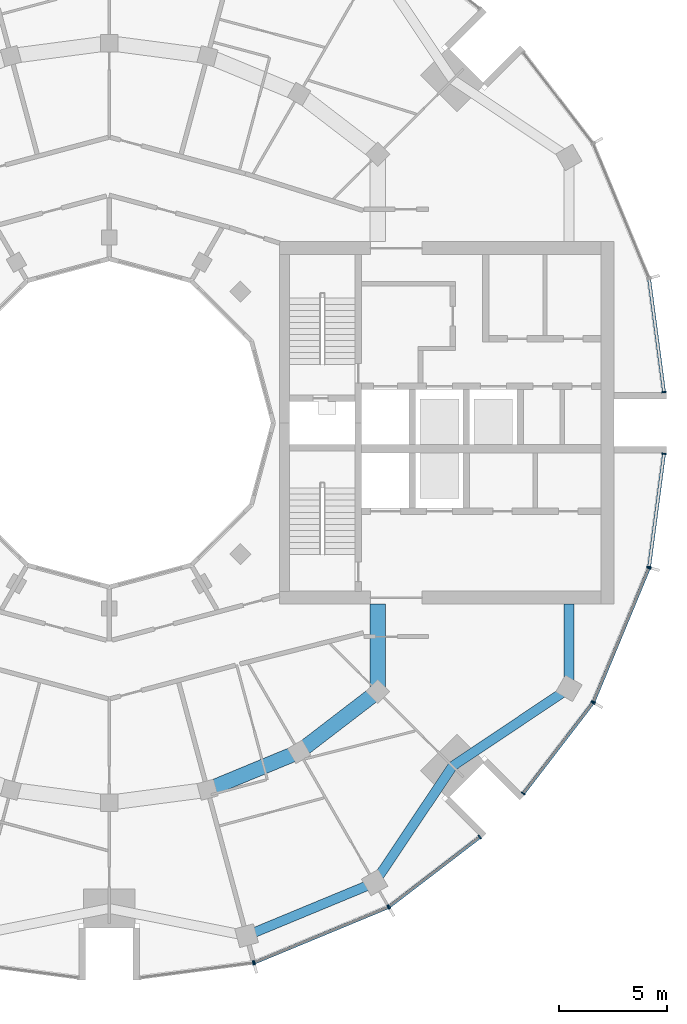
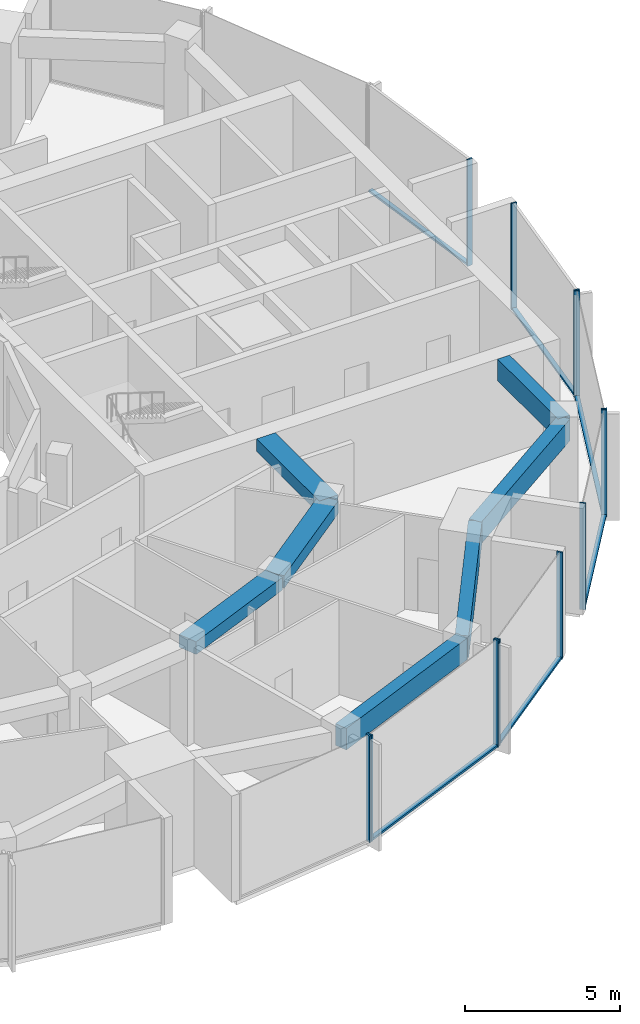
# One storey, part 4 of 15: 18 members, 7 beams, 7 elements without a shape of their own.
"""IFC4 building model written with IfcOpenShell, lengths in metres."""

from ifc_helpers import new_model, si_unit, direction, frame, origin, origin_2d, place, context, subcontext, project, spatial, rectangle, extrude, material, layer, layer_set, material_profile, profile_set, type_object, element, aggregate, save


model = new_model("IFC4")

# Units and contexts
model_context = context("Model", 3, precision=1e-05, world=origin(), true_north=direction((0.0, 1.0)))
body_context = subcontext(model_context, "Body", "Model", "MODEL_VIEW")
ifc_project = project(units=[si_unit("LENGTHUNIT", "METRE"), si_unit("AREAUNIT", "SQUARE_METRE"), si_unit("VOLUMEUNIT", "CUBIC_METRE"), si_unit("PLANEANGLEUNIT", "RADIAN"), si_unit("MASSUNIT", "GRAM", prefix="KILO")], contexts=[model_context])

# Site, building, storey
site_placement = place(None, origin())
site = spatial("IfcSite", under=ifc_project, at=site_placement, CompositionType="ELEMENT")
building_placement = place(site_placement, origin())
building = spatial("IfcBuilding", under=site, at=building_placement, Name="Torre Brocal", CompositionType="ELEMENT")
storey_placement = place(building_placement, frame((0.0, 0.0, 237.300048828125)))
storey = spatial("IfcBuildingStorey", under=building, at=storey_placement, Name="L54", CompositionType="ELEMENT", Elevation=237.300048828125)

# Curtain wall, member
ifc_material_1 = material(Name="Aluminium and glass", Category="aluminium")
ifc_layer_1 = layer(ifc_material_1, 0.199951171875)
ifc_layer_set_1 = layer_set([ifc_layer_1], Name="Aluminium and glass")
curtain_wall_type_1 = type_object("IfcCurtainWallType", Name="CW-1 CURTAIN WALL 4200 HIGH", PredefinedType="NOTDEFINED", material=ifc_layer_set_1)
curtain_wall_1_placement = place(storey_placement, origin())
curtain_wall_1 = element("IfcCurtainWall", 1, at=curtain_wall_1_placement, inside=storey, type_object=curtain_wall_type_1, Name="CW-1 RUN 19", PredefinedType="NOTDEFINED")
ifc_material_2 = material(Name="Aluminium, dark anodised", Category="aluminium")
ifc_material_profile_1 = material_profile(ifc_material_2, rectangle(XDim=0.199951171875, YDim=0.06005859375, at=origin_2d()), Name="CW-1 MULLION 60X200")
ifc_profile_set_1 = profile_set([ifc_material_profile_1], Name="Aluminium, dark anodised")
member_type_1 = type_object("IfcMemberType", Name="CW-1 MULLION 60X200", PredefinedType="MULLION", material=ifc_profile_set_1)
member_1_placement = place(storey_placement, frame((86.67333984375, 49.9794921875, 0.0), z_axis=(0.0, 0.0, 1.0), x_axis=(-0.13052619222, 0.991444861374, 0.0)))
member_1 = element("IfcMember", 2, at=member_1_placement, type_object=member_type_1, Name="CW1-5 mullion 2", PredefinedType="MULLION", context=body_context, shape_type="SweptSolid", body=[
    extrude(rectangle(XDim=0.199951171875, YDim=0.06005859375, at=origin_2d()), origin(), (0.0, 0.0, 1.0), 4.199951171875),
])
aggregate(curtain_wall_1, [member_1])

# Curtain wall, members
curtain_wall_2_placement = place(storey_placement, origin())
curtain_wall_2 = element("IfcCurtainWall", 3, at=curtain_wall_2_placement, inside=storey, type_object=curtain_wall_type_1, Name="CW-1 RUN 20", PredefinedType="NOTDEFINED")
member_2_placement = place(storey_placement, frame((86.73095703125, 49.994873046875, 0.0), z_axis=(0.0, 0.0, 1.0), x_axis=(-0.382683432333, 0.923879532525, 0.0)))
member_2 = element("IfcMember", 4, at=member_2_placement, type_object=member_type_1, Name="CW1-5 mullion 1", PredefinedType="MULLION", context=body_context, shape_type="SweptSolid", body=[
    extrude(rectangle(XDim=0.199951171875, YDim=0.06005859375, at=origin_2d()), origin(), (0.0, 0.0, 1.0), 4.199951171875),
])
member_3_placement = place(storey_placement, frame((92.921875, 52.559326171875, 0.0), z_axis=(0.0, 0.0, 1.0), x_axis=(-0.382683432333, 0.923879532525, 0.0)))
member_3 = element("IfcMember", 5, at=member_3_placement, type_object=member_type_1, Name="CW1-5 mullion 2", PredefinedType="MULLION", context=body_context, shape_type="SweptSolid", body=[
    extrude(rectangle(XDim=0.199951171875, YDim=0.06005859375, at=origin_2d()), origin(), (0.0, 0.0, 1.0), 4.199951171875),
])

curtain_wall_3_placement = place(storey_placement, origin())
curtain_wall_3 = element("IfcCurtainWall", 6, at=curtain_wall_3_placement, inside=storey, type_object=curtain_wall_type_1, Name="CW-1 RUN 21", PredefinedType="NOTDEFINED")
member_4_placement = place(storey_placement, frame((92.973388671875, 52.5888671875, 0.0), z_axis=(0.0, 0.0, 1.0), x_axis=(-0.60876142905, 0.793353340259, 0.0)))
member_4 = element("IfcMember", 7, at=member_4_placement, type_object=member_type_1, Name="CW1-5 mullion 1", PredefinedType="MULLION", context=body_context, shape_type="SweptSolid", body=[
    extrude(rectangle(XDim=0.199951171875, YDim=0.06005859375, at=origin_2d()), origin(), (0.0, 0.0, 1.0), 4.199951171875),
])
member_5_placement = place(storey_placement, frame((97.16943359375, 55.80859375, 0.0), z_axis=(0.0, 0.0, 1.0), x_axis=(-0.60876142905, 0.793353340259, 0.0)))
member_5 = element("IfcMember", 8, at=member_5_placement, type_object=member_type_1, Name="CW1-5 mullion 2", PredefinedType="MULLION", context=body_context, shape_type="SweptSolid", body=[
    extrude(rectangle(XDim=0.199951171875, YDim=0.06005859375, at=origin_2d()), origin(), (0.0, 0.0, 1.0), 4.199951171875),
])

curtain_wall_4_placement = place(storey_placement, origin())
curtain_wall_4 = element("IfcCurtainWall", 9, at=curtain_wall_4_placement, inside=storey, type_object=curtain_wall_type_1, Name="CW-1 RUN 22", PredefinedType="NOTDEFINED")
member_6_placement = place(storey_placement, frame((99.19140625, 57.83056640625, 0.0), z_axis=(0.0, 0.0, 1.0), x_axis=(-0.793353340259, 0.60876142905, 0.0)))
member_6 = element("IfcMember", 10, at=member_6_placement, type_object=member_type_1, Name="CW1-5 mullion 1", PredefinedType="MULLION", context=body_context, shape_type="SweptSolid", body=[
    extrude(rectangle(XDim=0.199951171875, YDim=0.06005859375, at=origin_2d()), origin(), (0.0, 0.0, 1.0), 4.199951171875),
])
member_7_placement = place(storey_placement, frame((102.4111328125, 62.026611328125, 0.0), z_axis=(0.0, 0.0, 1.0), x_axis=(-0.793353340259, 0.60876142905, 0.0)))
member_7 = element("IfcMember", 11, at=member_7_placement, type_object=member_type_1, Name="CW1-5 mullion 2", PredefinedType="MULLION", context=body_context, shape_type="SweptSolid", body=[
    extrude(rectangle(XDim=0.199951171875, YDim=0.06005859375, at=origin_2d()), origin(), (0.0, 0.0, 1.0), 4.199951171875),
])

curtain_wall_5_placement = place(storey_placement, origin())
curtain_wall_5 = element("IfcCurtainWall", 12, at=curtain_wall_5_placement, inside=storey, type_object=curtain_wall_type_1, Name="CW-1 RUN 23", PredefinedType="NOTDEFINED")
member_8_placement = place(storey_placement, frame((102.440673828125, 62.078125, 0.0), z_axis=(0.0, 0.0, 1.0), x_axis=(-0.923879532525, 0.382683432333, 0.0)))
member_8 = element("IfcMember", 13, at=member_8_placement, type_object=member_type_1, Name="CW1-5 mullion 1", PredefinedType="MULLION", context=body_context, shape_type="SweptSolid", body=[
    extrude(rectangle(XDim=0.199951171875, YDim=0.06005859375, at=origin_2d()), origin(), (0.0, 0.0, 1.0), 4.199951171875),
])
member_9_placement = place(storey_placement, frame((105.005126953125, 68.26904296875, 0.0), z_axis=(0.0, 0.0, 1.0), x_axis=(-0.923879532525, 0.382683432333, 0.0)))
member_9 = element("IfcMember", 14, at=member_9_placement, type_object=member_type_1, Name="CW1-5 mullion 2", PredefinedType="MULLION", context=body_context, shape_type="SweptSolid", body=[
    extrude(rectangle(XDim=0.199951171875, YDim=0.06005859375, at=origin_2d()), origin(), (0.0, 0.0, 1.0), 4.199951171875),
])

# Member
ifc_material_3 = material(Name="Aluminium, dark anodised", Category="aluminium")
ifc_material_profile_2 = material_profile(ifc_material_3, rectangle(XDim=0.159912109375, YDim=0.080078125, at=origin_2d()), Name="CW-1 TRANSOM 160X80")
ifc_profile_set_2 = profile_set([ifc_material_profile_2], Name="Aluminium, dark anodised")
member_type_2 = type_object("IfcMemberType", Name="CW-1 TRANSOM 160X80", PredefinedType="USERDEFINED", material=ifc_profile_set_2)
member_10_placement = place(storey_placement, frame((86.758544921875, 50.00634765625, 0.0400390625), z_axis=(0.923887344364, 0.38266457234, 0.0), x_axis=(-0.38266457234, 0.923887344364, 0.0)))
member_10 = element("IfcMember", 15, at=member_10_placement, type_object=member_type_2, Name="CW1-5 transom 1.1", ObjectType="TRANSOM", PredefinedType="USERDEFINED", context=body_context, shape_type="SweptSolid", body=[
    extrude(rectangle(XDim=0.159912109375, YDim=0.080078125, at=origin_2d()), origin(), (0.0, 0.0, 1.0), 6.640869140625),
])

aggregate(curtain_wall_2, [member_2, member_3, member_10])

member_11_placement = place(storey_placement, frame((92.9970703125, 52.607177734375, 0.0400390625), z_axis=(0.79336281513, 0.60874908096, 0.0), x_axis=(-0.60874908096, 0.79336281513, 0.0)))
member_11 = element("IfcMember", 16, at=member_11_placement, type_object=member_type_2, Name="CW1-5 transom 1.1", ObjectType="TRANSOM", PredefinedType="USERDEFINED", context=body_context, shape_type="SweptSolid", body=[
    extrude(rectangle(XDim=0.159912109375, YDim=0.080078125, at=origin_2d()), origin(), (0.0, 0.0, 1.0), 5.22900390625),
])

aggregate(curtain_wall_3, [member_4, member_5, member_11])

member_12_placement = place(storey_placement, frame((99.209716796875, 57.8544921875, 0.0400390625), z_axis=(0.60874908096, 0.79336281513, 0.0), x_axis=(-0.79336281513, 0.60874908096, 0.0)))
member_12 = element("IfcMember", 17, at=member_12_placement, type_object=member_type_2, Name="CW1-5 transom 1.1", ObjectType="TRANSOM", PredefinedType="USERDEFINED", context=body_context, shape_type="SweptSolid", body=[
    extrude(rectangle(XDim=0.159912109375, YDim=0.080078125, at=origin_2d()), origin(), (0.0, 0.0, 1.0), 5.22900390625),
])

aggregate(curtain_wall_4, [member_6, member_7, member_12])

member_13_placement = place(storey_placement, frame((102.452392578125, 62.10595703125, 0.0400390625), z_axis=(0.38266457234, 0.923887344364, 0.0), x_axis=(-0.923887344364, 0.38266457234, 0.0)))
member_13 = element("IfcMember", 18, at=member_13_placement, type_object=member_type_2, Name="CW1-5 transom 1.1", ObjectType="TRANSOM", PredefinedType="USERDEFINED", context=body_context, shape_type="SweptSolid", body=[
    extrude(rectangle(XDim=0.159912109375, YDim=0.080078125, at=origin_2d()), origin(), (0.0, 0.0, 1.0), 6.640869140625),
])

aggregate(curtain_wall_5, [member_8, member_9, member_13])

# Curtain wall, member
ifc_material_4 = material(Name="Aluminium and glass", Category="aluminium")
ifc_layer_2 = layer(ifc_material_4, 0.199951171875)
ifc_layer_set_2 = layer_set([ifc_layer_2], Name="Aluminium and glass")
curtain_wall_type_2 = type_object("IfcCurtainWallType", Name="CW-1B CURTAIN WALL 4200 HIGH", PredefinedType="NOTDEFINED", material=ifc_layer_set_2)
curtain_wall_6_placement = place(storey_placement, origin())
curtain_wall_6 = element("IfcCurtainWall", 19, at=curtain_wall_6_placement, inside=storey, type_object=curtain_wall_type_2, Name="CW-1B RUN 1", PredefinedType="NOTDEFINED")
ifc_material_5 = material(Name="Aluminium, dark anodised", Category="aluminium")
ifc_material_profile_3 = material_profile(ifc_material_5, rectangle(XDim=0.199951171875, YDim=0.06005859375, at=origin_2d()), Name="CW-1B MULLION 60X200")
ifc_profile_set_3 = profile_set([ifc_material_profile_3], Name="Aluminium, dark anodised")
member_type_3 = type_object("IfcMemberType", Name="CW-1B MULLION 60X200", PredefinedType="MULLION", material=ifc_profile_set_3)
member_14_placement = place(storey_placement, frame((105.7109375, 76.4296875, 0.0), z_axis=(0.0, 0.0, 1.0), x_axis=(-0.991444861374, -0.13052619222, 0.0)))
member_14 = element("IfcMember", 20, at=member_14_placement, type_object=member_type_3, Name="CW1B-5 mullion 1", PredefinedType="MULLION", context=body_context, shape_type="SweptSolid", body=[
    extrude(rectangle(XDim=0.199951171875, YDim=0.06005859375, at=origin_2d()), origin(), (0.0, 0.0, 1.0), 4.199951171875),
])

# Curtain wall, members
curtain_wall_7_placement = place(storey_placement, origin())
curtain_wall_7 = element("IfcCurtainWall", 21, at=curtain_wall_7_placement, inside=storey, type_object=curtain_wall_type_2, Name="CW-1B RUN 24", PredefinedType="NOTDEFINED")
member_15_placement = place(storey_placement, frame((105.0205078125, 68.32666015625, 0.0), z_axis=(0.0, 0.0, 1.0), x_axis=(-0.991444861374, 0.13052619222, 0.0)))
member_15 = element("IfcMember", 22, at=member_15_placement, type_object=member_type_3, Name="CW1B-5 mullion 1", PredefinedType="MULLION", context=body_context, shape_type="SweptSolid", body=[
    extrude(rectangle(XDim=0.199951171875, YDim=0.06005859375, at=origin_2d()), origin(), (0.0, 0.0, 1.0), 4.199951171875),
])
member_16_placement = place(storey_placement, frame((105.7109375, 73.5703125, 0.0), z_axis=(0.0, 0.0, 1.0), x_axis=(-0.991444861374, 0.13052619222, 0.0)))
member_16 = element("IfcMember", 23, at=member_16_placement, type_object=member_type_3, Name="CW1B-5 mullion 2", PredefinedType="MULLION", context=body_context, shape_type="SweptSolid", body=[
    extrude(rectangle(XDim=0.199951171875, YDim=0.06005859375, at=origin_2d()), origin(), (0.0, 0.0, 1.0), 4.199951171875),
])

# Member
ifc_material_6 = material(Name="Aluminium, dark anodised", Category="aluminium")
ifc_material_profile_4 = material_profile(ifc_material_6, rectangle(XDim=0.159912109375, YDim=0.080078125, at=origin_2d()), Name="CW-1B TRANSOM 160X80")
ifc_profile_set_4 = profile_set([ifc_material_profile_4], Name="Aluminium, dark anodised")
member_type_4 = type_object("IfcMemberType", Name="CW-1B TRANSOM 160X80", PredefinedType="USERDEFINED", material=ifc_profile_set_4)
member_17_placement = place(storey_placement, frame((105.70703125, 76.45947265625, 0.0400390625), z_axis=(-0.130542677827, 0.991442690863, 0.0), x_axis=(-0.991442690863, -0.130542677827, 0.0)))
member_17 = element("IfcMember", 24, at=member_17_placement, type_object=member_type_4, Name="CW1B-5 transom 1.1", ObjectType="TRANSOM", PredefinedType="USERDEFINED", context=body_context, shape_type="SweptSolid", body=[
    extrude(rectangle(XDim=0.159912109375, YDim=0.080078125, at=origin_2d()), origin(), (0.0, 0.0, 1.0), 5.22900390625),
])

aggregate(curtain_wall_6, [member_14, member_17])

member_18_placement = place(storey_placement, frame((105.0244140625, 68.356201171875, 0.0400390625), z_axis=(0.130542677827, 0.991442690863, 0.0), x_axis=(-0.991442690863, 0.130542677827, 0.0)))
member_18 = element("IfcMember", 25, at=member_18_placement, type_object=member_type_4, Name="CW1B-5 transom 1.1", ObjectType="TRANSOM", PredefinedType="USERDEFINED", context=body_context, shape_type="SweptSolid", body=[
    extrude(rectangle(XDim=0.159912109375, YDim=0.080078125, at=origin_2d()), origin(), (0.0, 0.0, 1.0), 5.22900390625),
])

aggregate(curtain_wall_7, [member_15, member_16, member_18])

# Beams
ifc_material_7 = material(Name="Concrete C50", Category="concrete")
ifc_material_profile_5 = material_profile(ifc_material_7, rectangle(XDim=0.699951171875, YDim=0.5, at=origin_2d()), Name="RC 700X500")
ifc_profile_set_5 = profile_set([ifc_material_profile_5], Name="Concrete C50")
beam_type_1 = type_object("IfcBeamType", Name="RC BEAM 700X500 C50 TOP 3880", PredefinedType="BEAM", material=ifc_profile_set_5)
beam_1_placement = place(storey_placement, frame((84.55517578125, 57.999755859375, 3.6298828125), z_axis=(0.923878240166, 0.382686552348, 0.0), x_axis=(-0.382686552348, 0.923878240166, 0.0)))
element("IfcBeam", 26, at=beam_1_placement, inside=storey, type_object=beam_type_1, Name="Beam BT-37", PredefinedType="BEAM", context=body_context, shape_type="SweptSolid", body=[
    extrude(rectangle(XDim=0.699951171875, YDim=0.5, at=origin_2d()), origin(), (0.0, 0.0, 1.0), 4.5947265625),
])
beam_2_placement = place(storey_placement, frame((88.800048828125, 59.758056640625, 3.6298828125), z_axis=(0.793358265959, 0.6087550097, 0.0), x_axis=(-0.6087550097, 0.793358265959, 0.0)))
element("IfcBeam", 27, at=beam_2_placement, inside=storey, type_object=beam_type_1, Name="Beam BT-37", PredefinedType="BEAM", context=body_context, shape_type="SweptSolid", body=[
    extrude(rectangle(XDim=0.699951171875, YDim=0.5, at=origin_2d()), origin(), (0.0, 0.0, 1.0), 4.594482421875),
])
beam_3_placement = place(storey_placement, frame((92.445068359375, 62.554931640625, 3.6298828125), z_axis=(0.0, 1.0, 0.0), x_axis=(-1.0, 0.0, 0.0)))
element("IfcBeam", 28, at=beam_3_placement, inside=storey, type_object=beam_type_1, Name="Beam BT-37", PredefinedType="BEAM", context=body_context, shape_type="SweptSolid", body=[
    extrude(rectangle(XDim=0.699951171875, YDim=0.5, at=origin_2d()), origin(), (0.0, 0.0, 1.0), 4.045166015625),
])
ifc_material_8 = material(Name="Concrete C50", Category="concrete")
ifc_material_profile_6 = material_profile(ifc_material_8, rectangle(XDim=0.449951171875, YDim=0.85009765625, at=origin_2d()), Name="RC 450X850")
ifc_profile_set_6 = profile_set([ifc_material_profile_6], Name="Concrete C50")
beam_type_2 = type_object("IfcBeamType", Name="RC SPANDREL BEAM 450X850 C50 TOP 3880", PredefinedType="SPANDREL", material=ifc_profile_set_6)
beam_4_placement = place(storey_placement, frame((86.366943359375, 51.23828125, 3.454833984375), z_axis=(0.923882462513, 0.382676358639, 0.0), x_axis=(-0.382676358639, 0.923882462513, 0.0)))
element("IfcBeam", 29, at=beam_4_placement, inside=storey, type_object=beam_type_2, Name="Beam BT-38", PredefinedType="SPANDREL", context=body_context, shape_type="SweptSolid", body=[
    extrude(rectangle(XDim=0.449951171875, YDim=0.85009765625, at=origin_2d()), origin(), (0.0, 0.0, 1.0), 6.421875),
])
for number, where, z_axis, x_axis, name in (
    (30, (92.300048828125, 53.69580078125, 3.454833984375), (0.556157602282, 0.831076844476, 0.0), (-0.831076844476, 0.556157602282, 0.0), "Beam BT-38"),
    (31, (95.909912109375, 59.090087890625, 3.454833984375), (0.831076844476, 0.556157602282, 0.0), (-0.556157602282, 0.831076844476, 0.0), "Beam BT-38"),
):
    element("IfcBeam", number, at=place(storey_placement, frame(where, z_axis=z_axis, x_axis=x_axis)), inside=storey, type_object=beam_type_2, Name=name, PredefinedType="SPANDREL", context=body_context, shape_type="SweptSolid", body=[
        extrude(rectangle(XDim=0.449951171875, YDim=0.85009765625, at=origin_2d()), origin(), (0.0, 0.0, 1.0), 6.49072265625),
    ])
beam_5_placement = place(storey_placement, frame((101.30419921875, 62.699951171875, 3.454833984375), z_axis=(0.0, 1.0, 0.0), x_axis=(-1.0, 0.0, 0.0)))
element("IfcBeam", 32, at=beam_5_placement, inside=storey, type_object=beam_type_2, Name="Beam BT-38", PredefinedType="SPANDREL", context=body_context, shape_type="SweptSolid", body=[
    extrude(rectangle(XDim=0.449951171875, YDim=0.85009765625, at=origin_2d()), origin(), (0.0, 0.0, 1.0), 3.900146484375),
])

save(model, "model.ifc")
